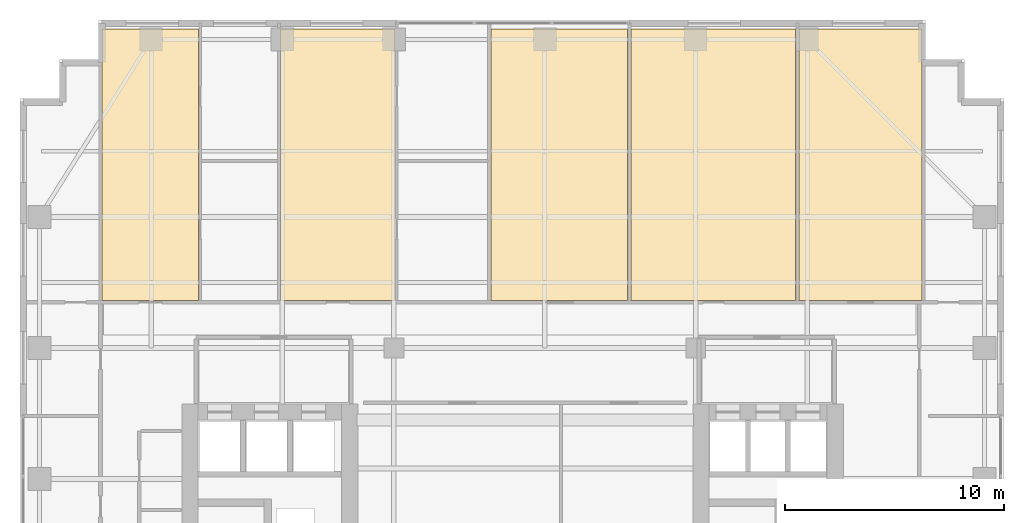
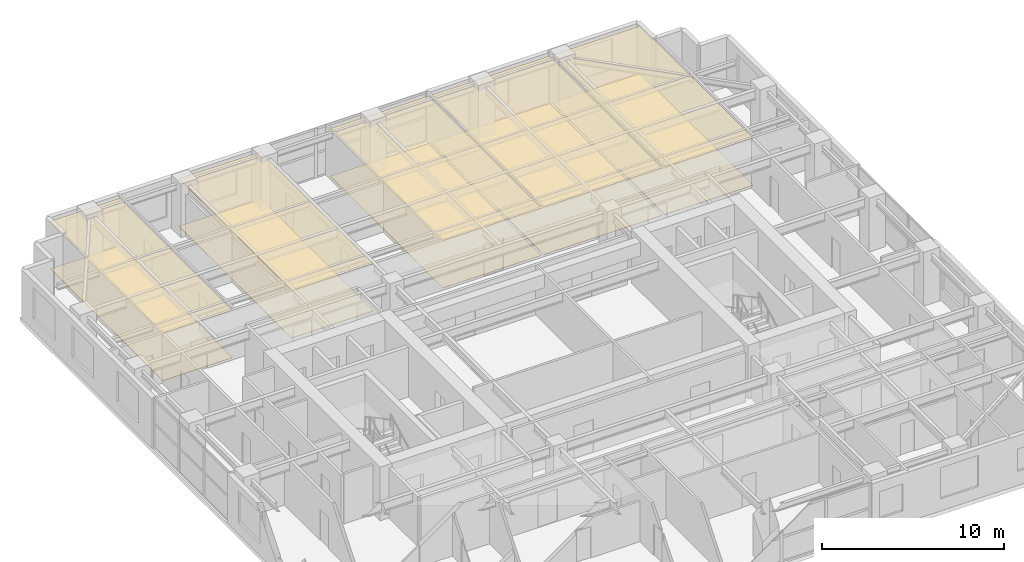
# One storey, part 20 of 20: 10 coverings.
"""IFC4 building model written with IfcOpenShell, lengths in metres."""

from ifc_helpers import new_model, si_unit, direction, frame, origin, place, context, subcontext, project, spatial, polyline, outline, extrude, material, layer, layer_set, type_object, element, save


model = new_model("IFC4")

# Units and contexts
model_context = context("Model", 3, precision=1e-05, world=origin(), true_north=direction((0.0, 1.0)))
body_context = subcontext(model_context, "Body", "Model", "MODEL_VIEW")
ifc_project = project(units=[si_unit("LENGTHUNIT", "METRE"), si_unit("AREAUNIT", "SQUARE_METRE"), si_unit("VOLUMEUNIT", "CUBIC_METRE"), si_unit("PLANEANGLEUNIT", "RADIAN"), si_unit("MASSUNIT", "GRAM", prefix="KILO")], contexts=[model_context])

# Site, building, storey
site_placement = place(None, origin())
site = spatial("IfcSite", under=ifc_project, at=site_placement, CompositionType="ELEMENT")
building_placement = place(site_placement, origin())
building = spatial("IfcBuilding", under=site, at=building_placement, Name="Khoralis Quay Care Tower", CompositionType="ELEMENT")
storey_placement = place(building_placement, frame((0.0, 0.0, 116.10009765625)))
storey = spatial("IfcBuildingStorey", under=building, at=storey_placement, Name="L30", CompositionType="ELEMENT", Elevation=116.10009765625)

# Coverings
ifc_material_1 = material(Name="Mineral-fibre acoustic ceiling tile")
ifc_layer_1 = layer(ifc_material_1, 0.01806640625)
ifc_layer_set_1 = layer_set([ifc_layer_1], Name="Mineral-fibre acoustic ceiling tile")
covering_type_1 = type_object("IfcCoveringType", Name="COV-CEIL-AC18", PredefinedType="CEILING", material=ifc_layer_set_1)
covering_1_placement = place(storey_placement, frame((0.0, 0.0, 3.19189453125)))
element("IfcCovering", 1, at=covering_1_placement, inside=storey, type_object=covering_type_1, Name="Suspended Acoustic Ceiling SP-L30-NB-STU0", PredefinedType="CEILING", context=body_context, shape_type="SweptSolid", body=[
    extrude(outline(polyline([(3.760009765625, 32.179931640625), (8.169921875, 32.179931640625), (8.169921875, 44.580078125), (3.760009765625, 44.580078125), (3.760009765625, 32.179931640625)])), origin(), (0.0, 0.0, 1.0), 0.01806640625),
])
covering_2_placement = place(storey_placement, frame((0.0, 0.0, 3.19189453125)))
element("IfcCovering", 2, at=covering_2_placement, inside=storey, type_object=covering_type_1, Name="Suspended Acoustic Ceiling SP-L30-NB-STU1", PredefinedType="CEILING", context=body_context, shape_type="SweptSolid", body=[
    extrude(outline(polyline([(11.919921875, 32.179931640625), (17.14697265625, 32.179931640625), (17.14697265625, 44.580078125), (11.919921875, 44.580078125), (11.919921875, 32.179931640625)])), origin(), (0.0, 0.0, 1.0), 0.01806640625),
])
covering_3_placement = place(storey_placement, frame((0.0, 0.0, 3.19189453125)))
element("IfcCovering", 3, at=covering_3_placement, inside=storey, type_object=covering_type_1, Name="Suspended Acoustic Ceiling SP-L30-NB-COM2", PredefinedType="CEILING", context=body_context, shape_type="SweptSolid", body=[
    extrude(outline(polyline([(21.5400390625, 32.179931640625), (27.7900390625, 32.179931640625), (27.7900390625, 44.580078125), (21.5400390625, 44.580078125), (21.5400390625, 32.179931640625)])), origin(), (0.0, 0.0, 1.0), 0.01806640625),
])
covering_4_placement = place(storey_placement, frame((0.0, 0.0, 3.19189453125)))
element("IfcCovering", 4, at=covering_4_placement, inside=storey, type_object=covering_type_1, Name="Suspended Acoustic Ceiling SP-L30-NB-COM3", PredefinedType="CEILING", context=body_context, shape_type="SweptSolid", body=[
    extrude(outline(polyline([(27.949951171875, 32.179931640625), (35.469970703125, 32.179931640625), (35.469970703125, 44.580078125), (27.949951171875, 44.580078125), (27.949951171875, 32.179931640625)])), origin(), (0.0, 0.0, 1.0), 0.01806640625),
])
covering_5_placement = place(storey_placement, frame((0.0, 0.0, 3.19189453125)))
element("IfcCovering", 5, at=covering_5_placement, inside=storey, type_object=covering_type_1, Name="Suspended Acoustic Ceiling SP-L30-NB-COM4", PredefinedType="CEILING", context=body_context, shape_type="SweptSolid", body=[
    extrude(outline(polyline([(35.6298828125, 32.179931640625), (41.239990234375, 32.179931640625), (41.239990234375, 44.580078125), (35.6298828125, 44.580078125), (35.6298828125, 32.179931640625)])), origin(), (0.0, 0.0, 1.0), 0.01806640625),
])
ifc_material_2 = material(Name="Porcelain and non-slip vinyl flooring")
ifc_layer_2 = layer(ifc_material_2, 0.02001953125)
ifc_layer_set_2 = layer_set([ifc_layer_2], Name="Porcelain and non-slip vinyl flooring")
covering_type_2 = type_object("IfcCoveringType", Name="COV-FLOOR-20", PredefinedType="FLOORING", material=ifc_layer_set_2)
covering_6_placement = place(storey_placement, origin())
element("IfcCovering", 6, at=covering_6_placement, inside=storey, type_object=covering_type_2, Name="Resilient Healthcare Flooring SP-L30-NB-STU0", PredefinedType="FLOORING", context=body_context, shape_type="SweptSolid", body=[
    extrude(outline(polyline([(3.760009765625, 32.179931640625), (8.169921875, 32.179931640625), (8.169921875, 44.580078125), (3.760009765625, 44.580078125), (3.760009765625, 32.179931640625)])), origin(), (0.0, 0.0, 1.0), 0.02001953125),
])
covering_7_placement = place(storey_placement, origin())
element("IfcCovering", 7, at=covering_7_placement, inside=storey, type_object=covering_type_2, Name="Resilient Healthcare Flooring SP-L30-NB-STU1", PredefinedType="FLOORING", context=body_context, shape_type="SweptSolid", body=[
    extrude(outline(polyline([(11.919921875, 32.179931640625), (17.14697265625, 32.179931640625), (17.14697265625, 44.580078125), (11.919921875, 44.580078125), (11.919921875, 32.179931640625)])), origin(), (0.0, 0.0, 1.0), 0.02001953125),
])
covering_8_placement = place(storey_placement, origin())
element("IfcCovering", 8, at=covering_8_placement, inside=storey, type_object=covering_type_2, Name="Resilient Healthcare Flooring SP-L30-NB-COM2", PredefinedType="FLOORING", context=body_context, shape_type="SweptSolid", body=[
    extrude(outline(polyline([(21.5400390625, 32.179931640625), (27.7900390625, 32.179931640625), (27.7900390625, 44.580078125), (21.5400390625, 44.580078125), (21.5400390625, 32.179931640625)])), origin(), (0.0, 0.0, 1.0), 0.02001953125),
])
covering_9_placement = place(storey_placement, origin())
element("IfcCovering", 9, at=covering_9_placement, inside=storey, type_object=covering_type_2, Name="Resilient Healthcare Flooring SP-L30-NB-COM3", PredefinedType="FLOORING", context=body_context, shape_type="SweptSolid", body=[
    extrude(outline(polyline([(27.949951171875, 32.179931640625), (35.469970703125, 32.179931640625), (35.469970703125, 44.580078125), (27.949951171875, 44.580078125), (27.949951171875, 32.179931640625)])), origin(), (0.0, 0.0, 1.0), 0.02001953125),
])
covering_10_placement = place(storey_placement, origin())
element("IfcCovering", 10, at=covering_10_placement, inside=storey, type_object=covering_type_2, Name="Resilient Healthcare Flooring SP-L30-NB-COM4", PredefinedType="FLOORING", context=body_context, shape_type="SweptSolid", body=[
    extrude(outline(polyline([(35.6298828125, 32.179931640625), (41.239990234375, 32.179931640625), (41.239990234375, 44.580078125), (35.6298828125, 44.580078125), (35.6298828125, 32.179931640625)])), origin(), (0.0, 0.0, 1.0), 0.02001953125),
])

save(model, "model.ifc")
